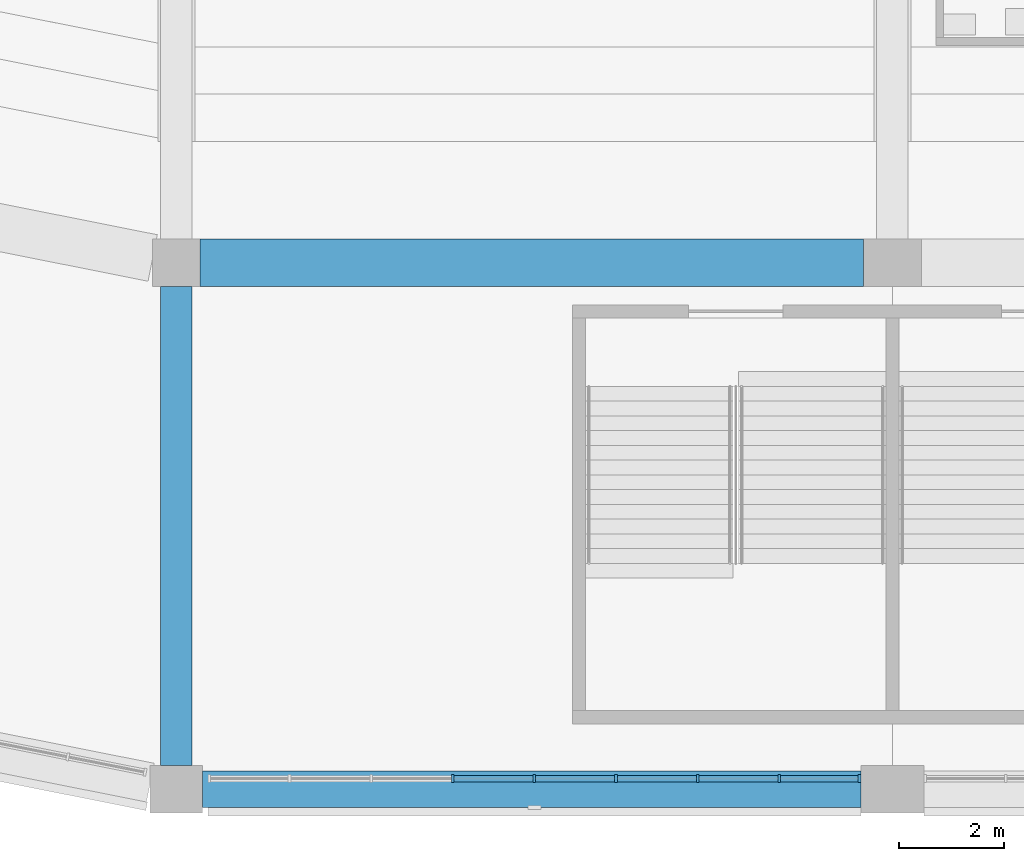
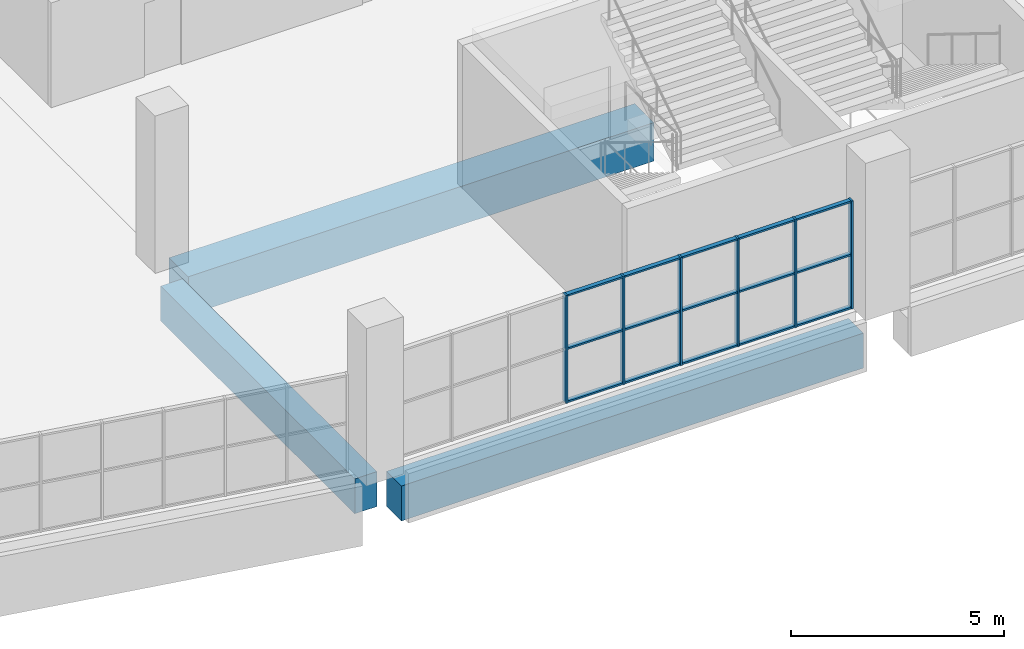
# One storey, part 6 of 249: 21 members, 3 beams, 1 element without a shape of its own.
"""IFC4 building model written with IfcOpenShell, lengths in metres."""

from ifc_helpers import new_model, si_unit, direction, frame, origin, origin_2d, place, context, subcontext, project, spatial, rectangle, extrude, material, material_profile, profile_set, type_object, element, aggregate, save


model = new_model("IFC4")

# Units and contexts
model_context = context("Model", 3, precision=1e-05, world=origin(), true_north=direction((0.0, 1.0)))
body_context = subcontext(model_context, "Body", "Model", "MODEL_VIEW")
ifc_project = project(units=[si_unit("LENGTHUNIT", "METRE"), si_unit("AREAUNIT", "SQUARE_METRE"), si_unit("VOLUMEUNIT", "CUBIC_METRE"), si_unit("PLANEANGLEUNIT", "RADIAN"), si_unit("MASSUNIT", "GRAM", prefix="KILO")], contexts=[model_context])

# Site, building, storey
site_placement = place(None, origin())
site = spatial("IfcSite", under=ifc_project, at=site_placement, CompositionType="ELEMENT")
building_placement = place(site_placement, origin())
building = spatial("IfcBuilding", under=site, at=building_placement, Name="Ogive Plaza Stadium", CompositionType="ELEMENT")
storey_placement = place(building_placement, frame((0.0, 0.0, 13.5)))
storey = spatial("IfcBuildingStorey", under=building, at=storey_placement, Name="L03", CompositionType="ELEMENT", Elevation=13.5)

# Curtain wall, members
ifc_material_1 = material(Name="Bronze-anodised aluminium with laminated glass", Category="aluminium")
curtain_wall_type = type_object("IfcCurtainWallType", Name="Lancet curtain wall", PredefinedType="NOTDEFINED", material=ifc_material_1)
curtain_wall_placement = place(storey_placement, origin())
curtain_wall = element("IfcCurtainWall", 1, at=curtain_wall_placement, inside=storey, type_object=curtain_wall_type, Name="CURTAIN WALL B16 L03", PredefinedType="NOTDEFINED")
ifc_material_2 = material(Name="Bronze-anodised aluminium", Category="aluminium")
ifc_material_profile_1 = material_profile(ifc_material_2, rectangle(XDim=0.14990234375, YDim=0.050048828125, at=origin_2d()), Name="AL 150x50")
ifc_profile_set_1 = profile_set([ifc_material_profile_1], Name="Bronze-anodised aluminium")
member_type_1 = type_object("IfcMemberType", Name="Curtain wall mullion 50x150", PredefinedType="MULLION", material=ifc_profile_set_1)
member_1_placement = place(storey_placement, frame((-21.02490234375, -102.300048828125, 0.0), z_axis=(0.0, 0.0, 1.0), x_axis=(0.0, -1.0, 0.0)))
member_1 = element("IfcMember", 2, at=member_1_placement, type_object=member_type_1, Name="CW-B16-L03 mullion 1", PredefinedType="MULLION", context=body_context, shape_type="SweptSolid", body=[
    extrude(rectangle(XDim=0.14990234375, YDim=0.050048828125, at=origin_2d()), origin(), (0.0, 0.0, 1.0), 3.090087890625),
])
member_2_placement = place(storey_placement, frame((-22.550048828125, -102.300048828125, 0.0), z_axis=(0.0, 0.0, 1.0), x_axis=(0.0, -1.0, 0.0)))
member_2 = element("IfcMember", 3, at=member_2_placement, type_object=member_type_1, Name="CW-B16-L03 mullion 2", PredefinedType="MULLION", context=body_context, shape_type="SweptSolid", body=[
    extrude(rectangle(XDim=0.14990234375, YDim=0.050048828125, at=origin_2d()), origin(), (0.0, 0.0, 1.0), 3.090087890625),
])
member_3_placement = place(storey_placement, frame((-24.10009765625, -102.300048828125, 0.0), z_axis=(0.0, 0.0, 1.0), x_axis=(0.0, -1.0, 0.0)))
member_3 = element("IfcMember", 4, at=member_3_placement, type_object=member_type_1, Name="CW-B16-L03 mullion 3", PredefinedType="MULLION", context=body_context, shape_type="SweptSolid", body=[
    extrude(rectangle(XDim=0.14990234375, YDim=0.050048828125, at=origin_2d()), origin(), (0.0, 0.0, 1.0), 3.090087890625),
])
member_4_placement = place(storey_placement, frame((-25.64990234375, -102.300048828125, 0.0), z_axis=(0.0, 0.0, 1.0), x_axis=(0.0, -1.0, 0.0)))
member_4 = element("IfcMember", 5, at=member_4_placement, type_object=member_type_1, Name="CW-B16-L03 mullion 4", PredefinedType="MULLION", context=body_context, shape_type="SweptSolid", body=[
    extrude(rectangle(XDim=0.14990234375, YDim=0.050048828125, at=origin_2d()), origin(), (0.0, 0.0, 1.0), 3.090087890625),
])
member_5_placement = place(storey_placement, frame((-27.199951171875, -102.300048828125, 0.0), z_axis=(0.0, 0.0, 1.0), x_axis=(0.0, -1.0, 0.0)))
member_5 = element("IfcMember", 6, at=member_5_placement, type_object=member_type_1, Name="CW-B16-L03 mullion 5", PredefinedType="MULLION", context=body_context, shape_type="SweptSolid", body=[
    extrude(rectangle(XDim=0.14990234375, YDim=0.050048828125, at=origin_2d()), origin(), (0.0, 0.0, 1.0), 3.090087890625),
])
member_6_placement = place(storey_placement, frame((-28.75, -102.300048828125, 0.0), z_axis=(0.0, 0.0, 1.0), x_axis=(0.0, -1.0, 0.0)))
member_6 = element("IfcMember", 7, at=member_6_placement, type_object=member_type_1, Name="CW-B16-L03 mullion 6", PredefinedType="MULLION", context=body_context, shape_type="SweptSolid", body=[
    extrude(rectangle(XDim=0.14990234375, YDim=0.050048828125, at=origin_2d()), origin(), (0.0, 0.0, 1.0), 3.090087890625),
])
ifc_material_3 = material(Name="Bronze-anodised aluminium", Category="aluminium")
ifc_material_profile_2 = material_profile(ifc_material_3, rectangle(XDim=0.1201171875, YDim=0.050048828125, at=origin_2d()), Name="AL 120x50")
ifc_profile_set_2 = profile_set([ifc_material_profile_2], Name="Bronze-anodised aluminium")
member_type_2 = type_object("IfcMemberType", Name="Curtain wall transom 50x120", PredefinedType="USERDEFINED", material=ifc_profile_set_2)
member_7_placement = place(storey_placement, frame((-21.050048828125, -102.300048828125, 0.02490234375), z_axis=(-1.0, 0.0, 0.0), x_axis=(0.0, -1.0, 0.0)))
member_7 = element("IfcMember", 8, at=member_7_placement, type_object=member_type_2, Name="CW-B16-L03 transom 1.1", ObjectType="TRANSOM", PredefinedType="USERDEFINED", context=body_context, shape_type="SweptSolid", body=[
    extrude(rectangle(XDim=0.1201171875, YDim=0.050048828125, at=origin_2d()), origin(), (0.0, 0.0, 1.0), 1.474853515625),
])
member_8_placement = place(storey_placement, frame((-21.050048828125, -102.300048828125, 1.544921875), z_axis=(-1.0, 0.0, 0.0), x_axis=(0.0, -1.0, 0.0)))
member_8 = element("IfcMember", 9, at=member_8_placement, type_object=member_type_2, Name="CW-B16-L03 transom 1.2", ObjectType="TRANSOM", PredefinedType="USERDEFINED", context=body_context, shape_type="SweptSolid", body=[
    extrude(rectangle(XDim=0.1201171875, YDim=0.050048828125, at=origin_2d()), origin(), (0.0, 0.0, 1.0), 1.474853515625),
])
member_9_placement = place(storey_placement, frame((-21.050048828125, -102.300048828125, 3.06494140625), z_axis=(-1.0, 0.0, 0.0), x_axis=(0.0, -1.0, 0.0)))
member_9 = element("IfcMember", 10, at=member_9_placement, type_object=member_type_2, Name="CW-B16-L03 transom 1.3", ObjectType="TRANSOM", PredefinedType="USERDEFINED", context=body_context, shape_type="SweptSolid", body=[
    extrude(rectangle(XDim=0.1201171875, YDim=0.050048828125, at=origin_2d()), origin(), (0.0, 0.0, 1.0), 1.474853515625),
])
member_10_placement = place(storey_placement, frame((-22.574951171875, -102.300048828125, 0.02490234375), z_axis=(-1.0, 0.0, 0.0), x_axis=(0.0, -1.0, 0.0)))
member_10 = element("IfcMember", 11, at=member_10_placement, type_object=member_type_2, Name="CW-B16-L03 transom 2.1", ObjectType="TRANSOM", PredefinedType="USERDEFINED", context=body_context, shape_type="SweptSolid", body=[
    extrude(rectangle(XDim=0.1201171875, YDim=0.050048828125, at=origin_2d()), origin(), (0.0, 0.0, 1.0), 1.5),
])
member_11_placement = place(storey_placement, frame((-22.574951171875, -102.300048828125, 1.544921875), z_axis=(-1.0, 0.0, 0.0), x_axis=(0.0, -1.0, 0.0)))
member_11 = element("IfcMember", 12, at=member_11_placement, type_object=member_type_2, Name="CW-B16-L03 transom 2.2", ObjectType="TRANSOM", PredefinedType="USERDEFINED", context=body_context, shape_type="SweptSolid", body=[
    extrude(rectangle(XDim=0.1201171875, YDim=0.050048828125, at=origin_2d()), origin(), (0.0, 0.0, 1.0), 1.5),
])
member_12_placement = place(storey_placement, frame((-22.574951171875, -102.300048828125, 3.06494140625), z_axis=(-1.0, 0.0, 0.0), x_axis=(0.0, -1.0, 0.0)))
member_12 = element("IfcMember", 13, at=member_12_placement, type_object=member_type_2, Name="CW-B16-L03 transom 2.3", ObjectType="TRANSOM", PredefinedType="USERDEFINED", context=body_context, shape_type="SweptSolid", body=[
    extrude(rectangle(XDim=0.1201171875, YDim=0.050048828125, at=origin_2d()), origin(), (0.0, 0.0, 1.0), 1.5),
])
member_13_placement = place(storey_placement, frame((-24.125, -102.300048828125, 0.02490234375), z_axis=(-1.0, 0.0, 0.0), x_axis=(0.0, -1.0, 0.0)))
member_13 = element("IfcMember", 14, at=member_13_placement, type_object=member_type_2, Name="CW-B16-L03 transom 3.1", ObjectType="TRANSOM", PredefinedType="USERDEFINED", context=body_context, shape_type="SweptSolid", body=[
    extrude(rectangle(XDim=0.1201171875, YDim=0.050048828125, at=origin_2d()), origin(), (0.0, 0.0, 1.0), 1.5),
])
member_14_placement = place(storey_placement, frame((-24.125, -102.300048828125, 1.544921875), z_axis=(-1.0, 0.0, 0.0), x_axis=(0.0, -1.0, 0.0)))
member_14 = element("IfcMember", 15, at=member_14_placement, type_object=member_type_2, Name="CW-B16-L03 transom 3.2", ObjectType="TRANSOM", PredefinedType="USERDEFINED", context=body_context, shape_type="SweptSolid", body=[
    extrude(rectangle(XDim=0.1201171875, YDim=0.050048828125, at=origin_2d()), origin(), (0.0, 0.0, 1.0), 1.5),
])
member_15_placement = place(storey_placement, frame((-24.125, -102.300048828125, 3.06494140625), z_axis=(-1.0, 0.0, 0.0), x_axis=(0.0, -1.0, 0.0)))
member_15 = element("IfcMember", 16, at=member_15_placement, type_object=member_type_2, Name="CW-B16-L03 transom 3.3", ObjectType="TRANSOM", PredefinedType="USERDEFINED", context=body_context, shape_type="SweptSolid", body=[
    extrude(rectangle(XDim=0.1201171875, YDim=0.050048828125, at=origin_2d()), origin(), (0.0, 0.0, 1.0), 1.5),
])
member_16_placement = place(storey_placement, frame((-25.675048828125, -102.300048828125, 0.02490234375), z_axis=(-1.0, 0.0, 0.0), x_axis=(0.0, -1.0, 0.0)))
member_16 = element("IfcMember", 17, at=member_16_placement, type_object=member_type_2, Name="CW-B16-L03 transom 4.1", ObjectType="TRANSOM", PredefinedType="USERDEFINED", context=body_context, shape_type="SweptSolid", body=[
    extrude(rectangle(XDim=0.1201171875, YDim=0.050048828125, at=origin_2d()), origin(), (0.0, 0.0, 1.0), 1.5),
])
member_17_placement = place(storey_placement, frame((-25.675048828125, -102.300048828125, 1.544921875), z_axis=(-1.0, 0.0, 0.0), x_axis=(0.0, -1.0, 0.0)))
member_17 = element("IfcMember", 18, at=member_17_placement, type_object=member_type_2, Name="CW-B16-L03 transom 4.2", ObjectType="TRANSOM", PredefinedType="USERDEFINED", context=body_context, shape_type="SweptSolid", body=[
    extrude(rectangle(XDim=0.1201171875, YDim=0.050048828125, at=origin_2d()), origin(), (0.0, 0.0, 1.0), 1.5),
])
member_18_placement = place(storey_placement, frame((-25.675048828125, -102.300048828125, 3.06494140625), z_axis=(-1.0, 0.0, 0.0), x_axis=(0.0, -1.0, 0.0)))
member_18 = element("IfcMember", 19, at=member_18_placement, type_object=member_type_2, Name="CW-B16-L03 transom 4.3", ObjectType="TRANSOM", PredefinedType="USERDEFINED", context=body_context, shape_type="SweptSolid", body=[
    extrude(rectangle(XDim=0.1201171875, YDim=0.050048828125, at=origin_2d()), origin(), (0.0, 0.0, 1.0), 1.5),
])
member_19_placement = place(storey_placement, frame((-27.22509765625, -102.300048828125, 0.02490234375), z_axis=(-1.0, 0.0, 0.0), x_axis=(0.0, -1.0, 0.0)))
member_19 = element("IfcMember", 20, at=member_19_placement, type_object=member_type_2, Name="CW-B16-L03 transom 5.1", ObjectType="TRANSOM", PredefinedType="USERDEFINED", context=body_context, shape_type="SweptSolid", body=[
    extrude(rectangle(XDim=0.1201171875, YDim=0.050048828125, at=origin_2d()), origin(), (0.0, 0.0, 1.0), 1.5),
])
member_20_placement = place(storey_placement, frame((-27.22509765625, -102.300048828125, 1.544921875), z_axis=(-1.0, 0.0, 0.0), x_axis=(0.0, -1.0, 0.0)))
member_20 = element("IfcMember", 21, at=member_20_placement, type_object=member_type_2, Name="CW-B16-L03 transom 5.2", ObjectType="TRANSOM", PredefinedType="USERDEFINED", context=body_context, shape_type="SweptSolid", body=[
    extrude(rectangle(XDim=0.1201171875, YDim=0.050048828125, at=origin_2d()), origin(), (0.0, 0.0, 1.0), 1.5),
])
member_21_placement = place(storey_placement, frame((-27.22509765625, -102.300048828125, 3.06494140625), z_axis=(-1.0, 0.0, 0.0), x_axis=(0.0, -1.0, 0.0)))
member_21 = element("IfcMember", 22, at=member_21_placement, type_object=member_type_2, Name="CW-B16-L03 transom 5.3", ObjectType="TRANSOM", PredefinedType="USERDEFINED", context=body_context, shape_type="SweptSolid", body=[
    extrude(rectangle(XDim=0.1201171875, YDim=0.050048828125, at=origin_2d()), origin(), (0.0, 0.0, 1.0), 1.5),
])
aggregate(curtain_wall, [member_1, member_2, member_3, member_4, member_5, member_6, member_7, member_8, member_9, member_10, member_11, member_12, member_13, member_14, member_15, member_16, member_17, member_18, member_19, member_20, member_21])

# Beams
ifc_material_4 = material(Name="Concrete C40/50", Category="concrete")
ifc_material_profile_3 = material_profile(ifc_material_4, rectangle(XDim=0.60009765625, YDim=1.0, at=origin_2d()), Name="RC 600x1000")
ifc_profile_set_3 = profile_set([ifc_material_profile_3], Name="Concrete C40/50")
beam_type_1 = type_object("IfcBeamType", Name="RC radial beam 600x1000", PredefinedType="BEAM", material=ifc_profile_set_3)
beam_1_placement = place(storey_placement, frame((-34.0, -92.949951171875, -0.909912109375), z_axis=(0.0, -1.0, 0.0), x_axis=(1.0, 0.0, 0.0)))
element("IfcBeam", 23, at=beam_1_placement, inside=storey, type_object=beam_type_1, Name="Radial beam L03 R17 F4F5", PredefinedType="BEAM", context=body_context, shape_type="SweptSolid", body=[
    extrude(rectangle(XDim=0.60009765625, YDim=1.0, at=origin_2d()), origin(), (0.0, 0.0, 1.0), 9.10009765625),
])
ifc_material_5 = material(Name="Concrete C40/50", Category="concrete")
ifc_material_profile_4 = material_profile(ifc_material_5, rectangle(XDim=0.89990234375, YDim=1.10009765625, at=origin_2d()), Name="RC 900x1100")
ifc_profile_set_4 = profile_set([ifc_material_profile_4], Name="Concrete C40/50")
beam_type_2 = type_object("IfcBeamType", Name="RC ring beam 900x1100", PredefinedType="BEAM", material=ifc_profile_set_4)
beam_2_placement = place(storey_placement, frame((-20.949951171875, -92.5, -0.9599609375), z_axis=(-1.0, 0.0, 0.0), x_axis=(0.0, -1.0, 0.0)))
element("IfcBeam", 24, at=beam_2_placement, inside=storey, type_object=beam_type_2, Name="Ring beam F4 L03 B16", PredefinedType="BEAM", context=body_context, shape_type="SweptSolid", body=[
    extrude(rectangle(XDim=0.89990234375, YDim=1.10009765625, at=origin_2d()), origin(), (0.0, 0.0, 1.0), 12.60009765625),
])
ifc_material_6 = material(Name="Concrete C40/50", Category="concrete")
ifc_material_profile_5 = material_profile(ifc_material_6, rectangle(XDim=0.699951171875, YDim=1.0, at=origin_2d()), Name="RC 700x1000")
ifc_profile_set_5 = profile_set([ifc_material_profile_5], Name="Concrete C40/50")
beam_type_3 = type_object("IfcBeamType", Name="RC spandrel beam 700x1000", PredefinedType="SPANDREL", material=ifc_profile_set_5)
beam_3_placement = place(storey_placement, frame((-21.0, -102.5, -0.909912109375), z_axis=(-1.0, 0.0, 0.0), x_axis=(0.0, -1.0, 0.0)))
element("IfcBeam", 25, at=beam_3_placement, inside=storey, type_object=beam_type_3, Name="Ring beam F5 L03 B16", PredefinedType="SPANDREL", context=body_context, shape_type="SweptSolid", body=[
    extrude(rectangle(XDim=0.699951171875, YDim=1.0, at=origin_2d()), origin(), (0.0, 0.0, 1.0), 12.5),
])

save(model, "model.ifc")
